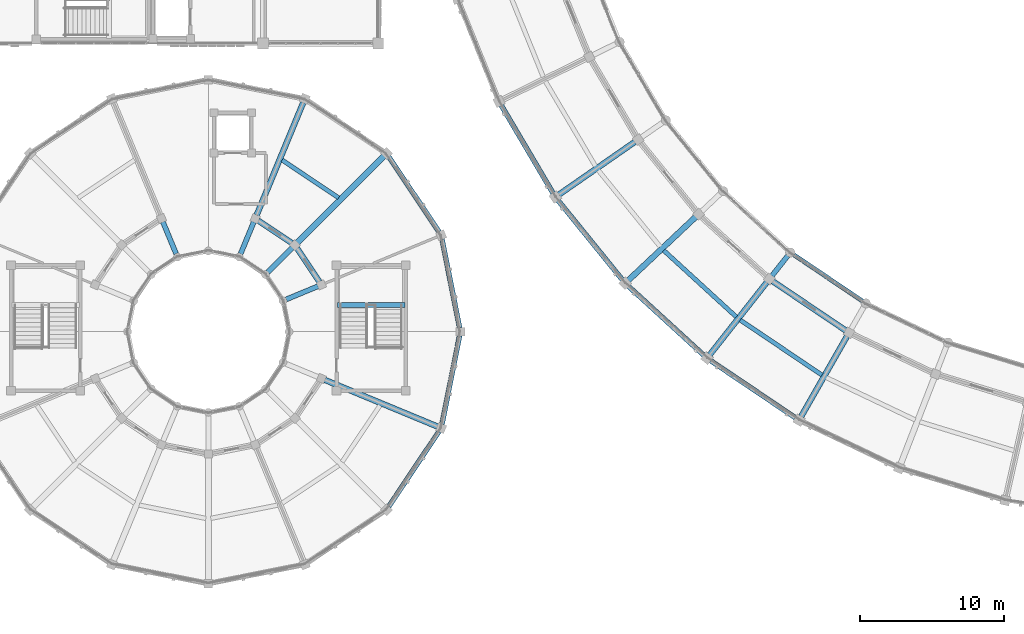
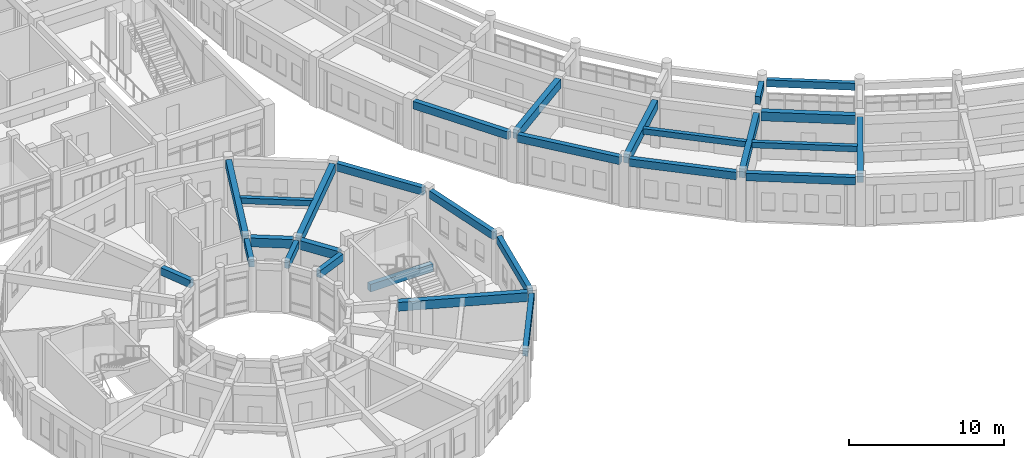
# One storey, part 16 of 159: 28 beams.
"""IFC4 building model written with IfcOpenShell, lengths in metres."""

from ifc_helpers import new_model, si_unit, direction, frame, origin, origin_2d, place, context, subcontext, project, spatial, rectangle, extrude, material, material_profile, profile_set, type_object, element, save


model = new_model("IFC4")

# Units and contexts
model_context = context("Model", 3, precision=1e-05, world=origin(), true_north=direction((0.0, 1.0)))
body_context = subcontext(model_context, "Body", "Model", "MODEL_VIEW")
ifc_project = project(units=[si_unit("LENGTHUNIT", "METRE"), si_unit("AREAUNIT", "SQUARE_METRE"), si_unit("VOLUMEUNIT", "CUBIC_METRE"), si_unit("PLANEANGLEUNIT", "RADIAN"), si_unit("MASSUNIT", "GRAM", prefix="KILO")], contexts=[model_context])

# Site, building, storey
site_placement = place(None, origin())
site = spatial("IfcSite", under=ifc_project, at=site_placement, CompositionType="ELEMENT")
building_placement = place(site_placement, origin())
building = spatial("IfcBuilding", under=site, at=building_placement, Name="Celadon Cloister-Ring School", CompositionType="ELEMENT")
storey_placement = place(building_placement, frame((0.0, 0.0, 4.5)))
storey = spatial("IfcBuildingStorey", under=building, at=storey_placement, Name="L01", CompositionType="ELEMENT", Elevation=4.5)

# Beams
ifc_material_1 = material(Name="Concrete C35/45", Category="concrete")
ifc_material_profile_1 = material_profile(ifc_material_1, rectangle(XDim=0.35009765625, YDim=0.60009765625, at=origin_2d()), Name="RC350X600")
ifc_profile_set_1 = profile_set([ifc_material_profile_1], Name="Concrete C35/45")
beam_type_1 = type_object("IfcBeamType", Name="BT-02", PredefinedType="BEAM", material=ifc_profile_set_1)
beam_1_placement = place(storey_placement, frame((59.322021484375, 23.867919921875, 4.35009765625), z_axis=(0.618720442645, 0.785611235824, 0.0), x_axis=(-0.785611235824, 0.618720442645, 0.0)))
element("IfcBeam", 1, at=beam_1_placement, inside=storey, type_object=beam_type_1, Name="Beam 0225", PredefinedType="BEAM", context=body_context, shape_type="SweptSolid", body=[
    extrude(rectangle(XDim=0.35009765625, YDim=0.60009765625, at=origin_2d()), origin(), (0.0, 0.0, 1.0), 1.7744140625),
])
beam_2_placement = place(storey_placement, frame((27.822021484375, 23.156982421875, 3.47998046875), z_axis=(-0.923932522988, -0.382555476978, 0.0), x_axis=(0.382555476978, -0.923932522988, 0.0)))
element("IfcBeam", 2, at=beam_2_placement, inside=storey, type_object=beam_type_1, Name="Beam 0924", PredefinedType="BEAM", context=body_context, shape_type="SweptSolid", body=[
    extrude(rectangle(XDim=0.35009765625, YDim=0.60009765625, at=origin_2d()), origin(), (0.0, 0.0, 1.0), 2.399658203125),
])
beam_3_placement = place(storey_placement, frame((26.032958984375, 25.8330078125, 3.47998046875), z_axis=(-0.707106781187, -0.707106781187, 0.0), x_axis=(0.707106781187, -0.707106781187, 0.0)))
element("IfcBeam", 3, at=beam_3_placement, inside=storey, type_object=beam_type_1, Name="Beam 0926", PredefinedType="BEAM", context=body_context, shape_type="SweptSolid", body=[
    extrude(rectangle(XDim=0.35009765625, YDim=0.60009765625, at=origin_2d()), origin(), (0.0, 0.0, 1.0), 2.398681640625),
])
for number, where, z_axis, x_axis, name in (
    (4, (23.35693359375, 27.6220703125, 3.47998046875), (-0.382555476978, -0.923932522988, 0.0), (0.923932522988, -0.382555476978, 0.0), "Beam 0928"),
    (5, (17.04296875, 27.6220703125, 3.47998046875), (0.382555476978, -0.923932522988, 0.0), (0.923932522988, 0.382555476978, 0.0), "Beam 0930"),
):
    element("IfcBeam", number, at=place(storey_placement, frame(where, z_axis=z_axis, x_axis=x_axis)), inside=storey, type_object=beam_type_1, Name=name, PredefinedType="BEAM", context=body_context, shape_type="SweptSolid", body=[
        extrude(rectangle(XDim=0.35009765625, YDim=0.60009765625, at=origin_2d()), origin(), (0.0, 0.0, 1.0), 2.399658203125),
    ])
beam_4_placement = place(storey_placement, frame((29.14990234375, 21.85009765625, 1.39990234375), z_axis=(1.0, 0.0, 0.0), x_axis=(0.0, 1.0, 0.0)))
element("IfcBeam", 6, at=beam_4_placement, inside=storey, type_object=beam_type_1, Name="Stair Landing Beam 1735", PredefinedType="BEAM", context=body_context, shape_type="SweptSolid", body=[
    extrude(rectangle(XDim=0.35009765625, YDim=0.60009765625, at=origin_2d()), origin(), (0.0, 0.0, 1.0), 4.7001953125),
])
ifc_material_2 = material(Name="Concrete C35/45", Category="concrete")
ifc_material_profile_2 = material_profile(ifc_material_2, rectangle(XDim=0.39990234375, YDim=0.699951171875, at=origin_2d()), Name="RC400X700")
ifc_profile_set_2 = profile_set([ifc_material_profile_2], Name="Concrete C35/45")
beam_type_2 = type_object("IfcBeamType", Name="GT-03", PredefinedType="USERDEFINED", material=ifc_profile_set_2)
beam_5_placement = place(storey_placement, frame((44.533935546875, 29.511962890625, 3.429931640625), z_axis=(0.82146242605, 0.570262643515, 0.0), x_axis=(-0.570262643515, 0.82146242605, 0.0)))
element("IfcBeam", 7, at=beam_5_placement, inside=storey, type_object=beam_type_2, Name="Beam 0220", ObjectType="GIRDER", PredefinedType="USERDEFINED", context=body_context, shape_type="SweptSolid", body=[
    extrude(rectangle(XDim=0.39990234375, YDim=0.699951171875, at=origin_2d()), origin(), (0.0, 0.0, 1.0), 6.42529296875),
])
beam_6_placement = place(storey_placement, frame((49.35595703125, 23.56201171875, 3.429931640625), z_axis=(0.728174336837, 0.685391957329, 0.0), x_axis=(-0.685391957329, 0.728174336837, 0.0)))
element("IfcBeam", 8, at=beam_6_placement, inside=storey, type_object=beam_type_2, Name="Beam 0222", ObjectType="GIRDER", PredefinedType="USERDEFINED", context=body_context, shape_type="SweptSolid", body=[
    extrude(rectangle(XDim=0.39990234375, YDim=0.699951171875, at=origin_2d()), origin(), (0.0, 0.0, 1.0), 6.425537109375),
])
beam_7_placement = place(storey_placement, frame((55.006103515625, 18.388916015625, 3.429931640625), z_axis=(0.618806152173, 0.785543726366, 0.0), x_axis=(-0.785543726366, 0.618806152173, 0.0)))
element("IfcBeam", 9, at=beam_7_placement, inside=storey, type_object=beam_type_2, Name="Beam 0224", ObjectType="GIRDER", PredefinedType="USERDEFINED", context=body_context, shape_type="SweptSolid", body=[
    extrude(rectangle(XDim=0.39990234375, YDim=0.699951171875, at=origin_2d()), origin(), (0.0, 0.0, 1.0), 6.425048828125),
])
beam_8_placement = place(storey_placement, frame((61.35693359375, 14.10791015625, 3.429931640625), z_axis=(0.496016173034, 0.868313282225, 0.0), x_axis=(-0.868313282225, 0.496016173034, 0.0)))
element("IfcBeam", 10, at=beam_8_placement, inside=storey, type_object=beam_type_2, Name="Beam 0226", ObjectType="GIRDER", PredefinedType="USERDEFINED", context=body_context, shape_type="SweptSolid", body=[
    extrude(rectangle(XDim=0.39990234375, YDim=0.699951171875, at=origin_2d()), origin(), (0.0, 0.0, 1.0), 6.42529296875),
])
beam_9_placement = place(storey_placement, frame((59.3798828125, 23.498046875, 3.429931640625), z_axis=(0.82927648131, -0.558838543362, 0.0), x_axis=(0.558838543362, 0.82927648131, 0.0)))
element("IfcBeam", 11, at=beam_9_placement, inside=storey, type_object=beam_type_2, Name="Beam 0318", ObjectType="GIRDER", PredefinedType="USERDEFINED", context=body_context, shape_type="SweptSolid", body=[
    extrude(rectangle(XDim=0.39990234375, YDim=0.699951171875, at=origin_2d()), origin(), (0.0, 0.0, 1.0), 6.1162109375),
])
beam_10_placement = place(storey_placement, frame((32.3798828125, 32.179931640625, 3.429931640625), z_axis=(-0.707106781187, -0.707106781187, 0.0), x_axis=(0.707106781187, -0.707106781187, 0.0)))
element("IfcBeam", 12, at=beam_10_placement, inside=storey, type_object=beam_type_2, Name="Beam 0925", ObjectType="GIRDER", PredefinedType="USERDEFINED", context=body_context, shape_type="SweptSolid", body=[
    extrude(rectangle(XDim=0.39990234375, YDim=0.699951171875, at=origin_2d()), origin(), (0.0, 0.0, 1.0), 8.475341796875),
])
for number, where, z_axis, x_axis, name in (
    (13, (26.7919921875, 35.9140625, 3.429931640625), (-0.382642680076, -0.923896411609, 0.0), (0.923896411609, -0.382642680076, 0.0), "Beam 0927"),
    (14, (36.114013671875, 13.407958984375, 3.429931640625), (-0.923896411609, 0.382642680076, 0.0), (-0.382642680076, -0.923896411609, 0.0), "Beam 0946"),
):
    element("IfcBeam", number, at=place(storey_placement, frame(where, z_axis=z_axis, x_axis=x_axis)), inside=storey, type_object=beam_type_2, Name=name, ObjectType="GIRDER", PredefinedType="USERDEFINED", context=body_context, shape_type="SweptSolid", body=[
        extrude(rectangle(XDim=0.39990234375, YDim=0.699951171875, at=origin_2d()), origin(), (0.0, 0.0, 1.0), 8.47509765625),
    ])
beam_11_placement = place(storey_placement, frame((27.9140625, 23.4609375, 3.429931640625), z_axis=(-0.555740149771, 0.831356052442, 0.0), x_axis=(-0.831356052442, -0.555740149771, 0.0)))
element("IfcBeam", 15, at=beam_11_placement, inside=storey, type_object=beam_type_2, Name="Beam 0951", ObjectType="GIRDER", PredefinedType="USERDEFINED", context=body_context, shape_type="SweptSolid", body=[
    extrude(rectangle(XDim=0.39990234375, YDim=0.699951171875, at=origin_2d()), origin(), (0.0, 0.0, 1.0), 2.81591796875),
])
beam_12_placement = place(storey_placement, frame((26.001953125, 26.14892578125, 3.429931640625), z_axis=(-0.831315995752, 0.555800067657, 0.0), x_axis=(-0.555800067657, -0.831315995752, 0.0)))
element("IfcBeam", 16, at=beam_12_placement, inside=storey, type_object=beam_type_2, Name="Beam 0954", ObjectType="GIRDER", PredefinedType="USERDEFINED", context=body_context, shape_type="SweptSolid", body=[
    extrude(rectangle(XDim=0.39990234375, YDim=0.699951171875, at=origin_2d()), origin(), (0.0, 0.0, 1.0), 2.816162109375),
])
ifc_material_3 = material(Name="Concrete C35/45", Category="concrete")
ifc_material_profile_3 = material_profile(ifc_material_3, rectangle(XDim=0.300048828125, YDim=0.449951171875, at=origin_2d()), Name="RC300X450")
ifc_profile_set_3 = profile_set([ifc_material_profile_3], Name="Concrete C35/45")
beam_type_3 = type_object("IfcBeamType", Name="JT-01", PredefinedType="JOIST", material=ifc_profile_set_3)
beam_13_placement = place(storey_placement, frame((51.81591796875, 25.636962890625, 3.554931640625), z_axis=(0.737515802412, -0.675329875833, 0.0), x_axis=(0.675329875833, 0.737515802412, 0.0)))
element("IfcBeam", 17, at=beam_13_placement, inside=storey, type_object=beam_type_3, Name="Beam 0316", PredefinedType="JOIST", context=body_context, shape_type="SweptSolid", body=[
    extrude(rectangle(XDim=0.300048828125, YDim=0.449951171875, at=origin_2d()), origin(), (0.0, 0.0, 1.0), 6.835205078125),
])
beam_14_placement = place(storey_placement, frame((57.131103515625, 20.804931640625, 3.554931640625), z_axis=(0.829176460094, -0.558986939048, 0.0), x_axis=(0.558986939048, 0.829176460094, 0.0)))
element("IfcBeam", 18, at=beam_14_placement, inside=storey, type_object=beam_type_3, Name="Beam 0320", PredefinedType="JOIST", context=body_context, shape_type="SweptSolid", body=[
    extrude(rectangle(XDim=0.300048828125, YDim=0.449951171875, at=origin_2d()), origin(), (0.0, 0.0, 1.0), 6.835693359375),
])
beam_15_placement = place(storey_placement, frame((29.24609375, 29.2890625, 3.554931640625), z_axis=(-0.831333623542, 0.55577370068, 0.0), x_axis=(-0.55577370068, -0.831333623542, 0.0)))
element("IfcBeam", 19, at=beam_15_placement, inside=storey, type_object=beam_type_3, Name="Beam 0956", PredefinedType="JOIST", context=body_context, shape_type="SweptSolid", body=[
    extrude(rectangle(XDim=0.300048828125, YDim=0.449951171875, at=origin_2d()), origin(), (0.0, 0.0, 1.0), 4.721435546875),
])
ifc_material_4 = material(Name="Concrete C35/45", Category="concrete")
ifc_material_profile_4 = material_profile(ifc_material_4, rectangle(XDim=0.35009765625, YDim=0.60009765625, at=origin_2d()), Name="RC350X600")
ifc_profile_set_4 = profile_set([ifc_material_profile_4], Name="Concrete C35/45")
beam_type_4 = type_object("IfcBeamType", Name="SP-01", PredefinedType="SPANDREL", material=ifc_profile_set_4)
beam_16_placement = place(storey_placement, frame((40.527099609375, 35.718994140625, 3.47998046875), z_axis=(0.507956908895, -0.861382481077, 0.0), x_axis=(0.861382481077, 0.507956908895, 0.0)))
element("IfcBeam", 20, at=beam_16_placement, inside=storey, type_object=beam_type_4, Name="Beam 0305", PredefinedType="SPANDREL", context=body_context, shape_type="SweptSolid", body=[
    extrude(rectangle(XDim=0.35009765625, YDim=0.60009765625, at=origin_2d()), origin(), (0.0, 0.0, 1.0), 7.104736328125),
])
beam_17_placement = place(storey_placement, frame((44.47705078125, 29.10791015625, 3.47998046875), z_axis=(0.629565970538, -0.776947030846, 0.0), x_axis=(0.776947030846, 0.629565970538, 0.0)))
element("IfcBeam", 21, at=beam_17_placement, inside=storey, type_object=beam_type_4, Name="Beam 0309", PredefinedType="SPANDREL", context=body_context, shape_type="SweptSolid", body=[
    extrude(rectangle(XDim=0.35009765625, YDim=0.60009765625, at=origin_2d()), origin(), (0.0, 0.0, 1.0), 7.103271484375),
])
beam_18_placement = place(storey_placement, frame((49.35888671875, 23.153076171875, 3.47998046875), z_axis=(0.737604737807, -0.675232738221, 0.0), x_axis=(0.675232738221, 0.737604737807, 0.0)))
element("IfcBeam", 22, at=beam_18_placement, inside=storey, type_object=beam_type_4, Name="Beam 0313", PredefinedType="SPANDREL", context=body_context, shape_type="SweptSolid", body=[
    extrude(rectangle(XDim=0.35009765625, YDim=0.60009765625, at=origin_2d()), origin(), (0.0, 0.0, 1.0), 7.1044921875),
])
beam_19_placement = place(storey_placement, frame((55.069091796875, 17.985107421875, 3.47998046875), z_axis=(0.82920513084, -0.558944407781, 0.0), x_axis=(0.558944407781, 0.82920513084, 0.0)))
element("IfcBeam", 23, at=beam_19_placement, inside=storey, type_object=beam_type_4, Name="Beam 0317", PredefinedType="SPANDREL", context=body_context, shape_type="SweptSolid", body=[
    extrude(rectangle(XDim=0.35009765625, YDim=0.60009765625, at=origin_2d()), origin(), (0.0, 0.0, 1.0), 7.10302734375),
])
for number, where, z_axis, x_axis, name in (
    (24, (37.64599609375, 20.27001953125, 3.47998046875), (-0.194964206518, 0.980810357907, 0.0), (-0.980810357907, -0.194964206518, 0.0), "Beam 0948"),
    (25, (36.215087890625, 26.926025390625, 3.47998046875), (-0.555660177561, 0.831409506244, 0.0), (-0.831409506244, -0.555660177561, 0.0), "Beam 0950"),
    (26, (32.72705078125, 7.85498046875, 3.47998046875), (0.555660177561, 0.831409506244, 0.0), (-0.831409506244, 0.555660177561, 0.0), "Beam 0992"),
    (27, (36.422119140625, 13.572998046875, 3.47998046875), (0.194964206518, 0.980810357907, 0.0), (-0.980810357907, 0.194964206518, 0.0), "Beam 0996"),
):
    element("IfcBeam", number, at=place(storey_placement, frame(where, z_axis=z_axis, x_axis=x_axis)), inside=storey, type_object=beam_type_4, Name=name, PredefinedType="SPANDREL", context=body_context, shape_type="SweptSolid", body=[
        extrude(rectangle(XDim=0.35009765625, YDim=0.60009765625, at=origin_2d()), origin(), (0.0, 0.0, 1.0), 6.27734375),
    ])
ifc_material_5 = material(Name="Concrete C35/45", Category="concrete")
ifc_material_profile_5 = material_profile(ifc_material_5, rectangle(XDim=0.300048828125, YDim=0.550048828125, at=origin_2d()), Name="RC300X550")
ifc_profile_set_5 = profile_set([ifc_material_profile_5], Name="Concrete C35/45")
beam_type_5 = type_object("IfcBeamType", Name="SP-02", PredefinedType="SPANDREL", material=ifc_profile_set_5)
beam_20_placement = place(storey_placement, frame((60.85498046875, 25.330078125, 4.375), z_axis=(0.829181671267, -0.558979208947, 0.0), x_axis=(0.558979208947, 0.829181671267, 0.0)))
element("IfcBeam", 28, at=beam_20_placement, inside=storey, type_object=beam_type_5, Name="Beam 0319", PredefinedType="SPANDREL", context=body_context, shape_type="SweptSolid", body=[
    extrude(rectangle(XDim=0.300048828125, YDim=0.550048828125, at=origin_2d()), origin(), (0.0, 0.0, 1.0), 5.717529296875),
])

save(model, "model.ifc")
